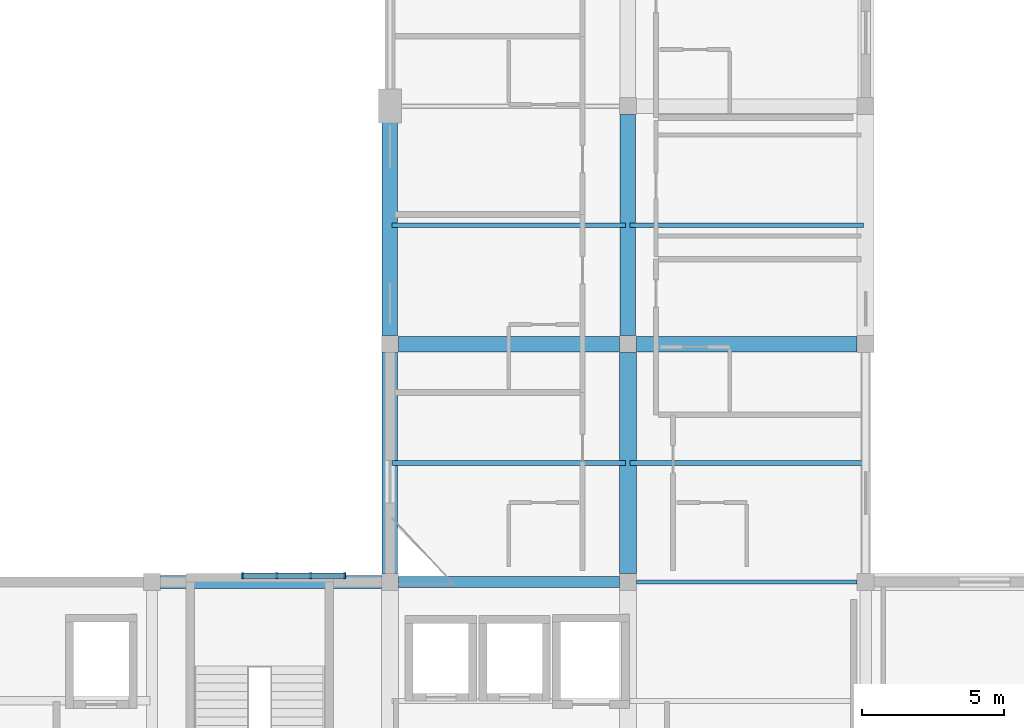
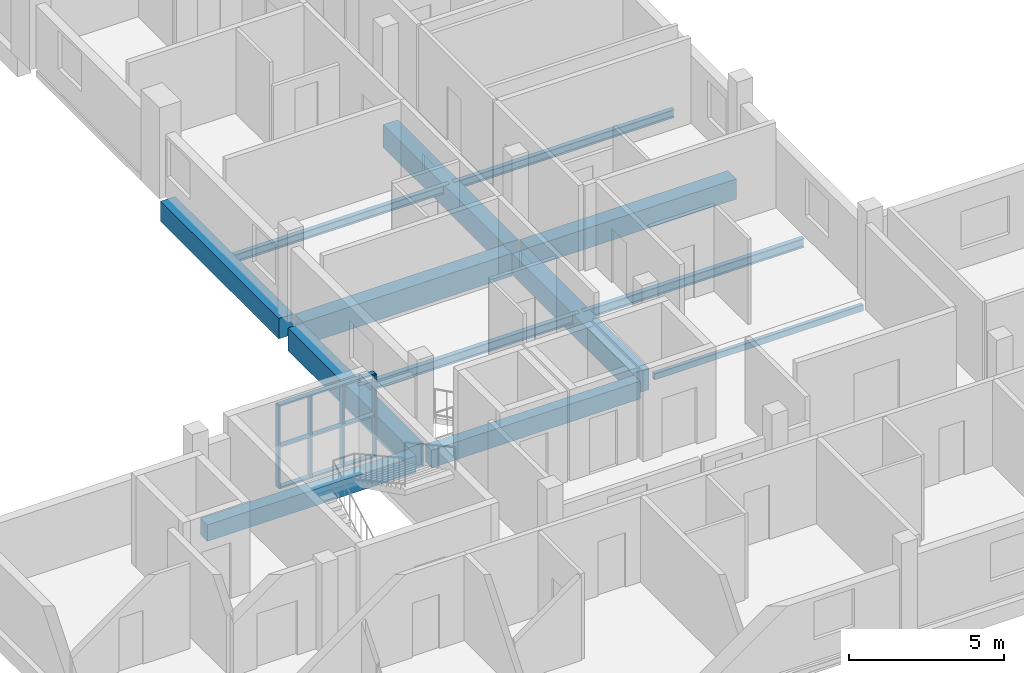
# One storey, part 2 of 24: 13 beams, 7 members, 1 element without a shape of its own.
"""IFC4 building model written with IfcOpenShell, lengths in metres."""

from ifc_helpers import new_model, si_unit, derived_unit, direction, frame, origin, origin_2d, place, context, subcontext, project, spatial, rectangle, hollow_rectangle, i_section, extrude, material, material_profile, profile_set, type_object, element, aggregate, save


model = new_model("IFC4")

# Units and contexts
model_context = context("Model", 3, precision=1e-05, world=origin(), true_north=direction((0.0, 1.0)))
body_context = subcontext(model_context, "Body", "Model", "MODEL_VIEW")
ifc_project = project(units=[si_unit("LENGTHUNIT", "METRE"), si_unit("AREAUNIT", "SQUARE_METRE"), si_unit("VOLUMEUNIT", "CUBIC_METRE"), si_unit("PLANEANGLEUNIT", "RADIAN"), si_unit("MASSUNIT", "GRAM", prefix="KILO"), derived_unit("THERMALTRANSMITTANCEUNIT", [(si_unit("POWERUNIT", "WATT"), 1), (si_unit("LENGTHUNIT", "METRE"), -2), (si_unit("THERMODYNAMICTEMPERATUREUNIT", "KELVIN"), -1)])], contexts=[model_context])

# Site, building, storey
site_placement = place(None, origin())
site = spatial("IfcSite", under=ifc_project, at=site_placement, CompositionType="ELEMENT")
building_placement = place(site_placement, origin())
building = spatial("IfcBuilding", under=site, at=building_placement, Name="Barrovel Congress Hotel", CompositionType="ELEMENT")
storey_placement = place(building_placement, frame((0.0, 0.0, 29.10009765625)))
storey = spatial("IfcBuildingStorey", under=building, at=storey_placement, Name="L07", CompositionType="ELEMENT", Elevation=29.10009765625)

# Beams
ifc_material_1 = material(Name="Concrete C40", Category="concrete")
ifc_material_profile_1 = material_profile(ifc_material_1, rectangle(XDim=0.39990234375, YDim=0.699951171875, at=origin_2d()), Name="RC400x700")
ifc_profile_set_1 = profile_set([ifc_material_profile_1], Name="Concrete C40")
beam_type_1 = type_object("IfcBeamType", Name="BM-RC400x700", PredefinedType="BEAM", material=ifc_profile_set_1)
beam_1_placement = place(storey_placement, frame((33.89990234375, 21.0, -0.570068359375), z_axis=(1.0, 0.0, 0.0), x_axis=(0.0, 1.0, 0.0)))
element("IfcBeam", 1, at=beam_1_placement, inside=storey, type_object=beam_type_1, Name="BMX:L07:21.0:33.6-42.0", PredefinedType="BEAM", context=body_context, shape_type="SweptSolid", body=[
    extrude(rectangle(XDim=0.39990234375, YDim=0.699951171875, at=origin_2d()), origin(), (0.0, 0.0, 1.0), 7.800048828125),
])
ifc_material_profile_2 = material_profile(ifc_material_1, rectangle(XDim=0.449951171875, YDim=0.64990234375, at=origin_2d()), Name="RC450x650")
ifc_profile_set_2 = profile_set([ifc_material_profile_2], Name="Concrete C40")
beam_type_2 = type_object("IfcBeamType", Name="BM-RC450x650", PredefinedType="BEAM", material=ifc_profile_set_2)
beam_2_placement = place(storey_placement, frame((25.5, 21.0, -0.545166015625), z_axis=(1.0, 0.0, 0.0), x_axis=(0.0, 1.0, 0.0)))
element("IfcBeam", 2, at=beam_2_placement, inside=storey, type_object=beam_type_2, Name="BMX:L07:21.0:25.2-33.6", PredefinedType="BEAM", context=body_context, shape_type="SweptSolid", body=[
    extrude(rectangle(XDim=0.449951171875, YDim=0.64990234375, at=origin_2d()), origin(), (0.0, 0.0, 1.0), 7.800048828125),
])
ifc_material_profile_3 = material_profile(ifc_material_1, rectangle(XDim=0.550048828125, YDim=0.800048828125, at=origin_2d()), Name="RC550x800")
ifc_profile_set_3 = profile_set([ifc_material_profile_3], Name="Concrete C40")
beam_type_3 = type_object("IfcBeamType", Name="BM-RC550x800", PredefinedType="BEAM", material=ifc_profile_set_3)
beam_3_placement = place(storey_placement, frame((42.300048828125, 29.39990234375, -0.6201171875), z_axis=(1.0, 0.0, 0.0), x_axis=(0.0, 1.0, 0.0)))
element("IfcBeam", 3, at=beam_3_placement, inside=storey, type_object=beam_type_3, Name="BMX:L07:29.4:42.0-50.4", PredefinedType="BEAM", context=body_context, shape_type="SweptSolid", body=[
    extrude(rectangle(XDim=0.550048828125, YDim=0.800048828125, at=origin_2d()), origin(), (0.0, 0.0, 1.0), 7.800048828125),
])
beam_4_placement = place(storey_placement, frame((33.60009765625, 29.699951171875, -0.6201171875), z_axis=(0.0, 1.0, 0.0), x_axis=(-1.0, 0.0, 0.0)))
element("IfcBeam", 4, at=beam_4_placement, inside=storey, type_object=beam_type_3, Name="BMY:L07:33.6:29.4-37.8", PredefinedType="BEAM", context=body_context, shape_type="SweptSolid", body=[
    extrude(rectangle(XDim=0.550048828125, YDim=0.800048828125, at=origin_2d()), origin(), (0.0, 0.0, 1.0), 7.650146484375),
])
ifc_material_profile_4 = material_profile(ifc_material_1, rectangle(XDim=0.550048828125, YDim=0.89990234375, at=origin_2d()), Name="RC550x900")
ifc_profile_set_4 = profile_set([ifc_material_profile_4], Name="Concrete C40")
beam_type_4 = type_object("IfcBeamType", Name="BM-RC550x900", PredefinedType="BEAM", material=ifc_profile_set_4)
for number, where, z_axis, x_axis, name in (
    (5, (33.89990234375, 29.39990234375, -0.670166015625), (1.0, 0.0, 0.0), (0.0, 1.0, 0.0), "BMX:L07:29.4:33.6-42.0"),
    (6, (33.60009765625, 21.300048828125, -0.670166015625), (0.0, 1.0, 0.0), (-1.0, 0.0, 0.0), "BMY:L07:33.6:21.0-29.4"),
    (7, (42.0, 29.699951171875, -0.670166015625), (0.0, 1.0, 0.0), (-1.0, 0.0, 0.0), "BMY:L07:42.0:29.4-37.8"),
):
    element("IfcBeam", number, at=place(storey_placement, frame(where, z_axis=z_axis, x_axis=x_axis)), inside=storey, type_object=beam_type_4, Name=name, PredefinedType="BEAM", context=body_context, shape_type="SweptSolid", body=[
        extrude(rectangle(XDim=0.550048828125, YDim=0.89990234375, at=origin_2d()), origin(), (0.0, 0.0, 1.0), 7.800048828125),
    ])
ifc_material_profile_5 = material_profile(ifc_material_1, rectangle(XDim=0.60009765625, YDim=0.85009765625, at=origin_2d()), Name="RC600x850")
ifc_profile_set_5 = profile_set([ifc_material_profile_5], Name="Concrete C40")
beam_type_5 = type_object("IfcBeamType", Name="BM-RC600x850", PredefinedType="BEAM", material=ifc_profile_set_5)
beam_5_placement = place(storey_placement, frame((42.0, 21.300048828125, -0.64501953125), z_axis=(0.0, 1.0, 0.0), x_axis=(-1.0, 0.0, 0.0)))
element("IfcBeam", 8, at=beam_5_placement, inside=storey, type_object=beam_type_5, Name="BMY:L07:42.0:21.0-29.4", PredefinedType="BEAM", context=body_context, shape_type="SweptSolid", body=[
    extrude(rectangle(XDim=0.60009765625, YDim=0.85009765625, at=origin_2d()), origin(), (0.0, 0.0, 1.0), 7.800048828125),
])

# Curtain wall, members
ifc_material_2 = material(Name="Anodised Aluminium Alloy 6063-T6", Category="aluminium")
curtain_wall_type = type_object("IfcCurtainWallType", Name="CW-UN-3600x3200", PredefinedType="USERDEFINED", material=ifc_material_2)
curtain_wall_placement = place(storey_placement, origin())
curtain_wall = element("IfcCurtainWall", 9, at=curtain_wall_placement, inside=storey, type_object=curtain_wall_type, Name="CW:L07:UN-3", ObjectType="UNITISED CURTAIN WALL", PredefinedType="USERDEFINED")
ifc_material_profile_6 = material_profile(ifc_material_2, rectangle(XDim=0.06494140625, YDim=0.219970703125, at=origin_2d()), Name="AL-M65x220")
ifc_profile_set_6 = profile_set([ifc_material_profile_6], Name="Anodised Aluminium Alloy 6063-T6")
member_type_1 = type_object("IfcMemberType", Name="CWM-AL-M65x220", PredefinedType="MULLION", material=ifc_profile_set_6)
member_1_placement = place(storey_placement, frame((28.39990234375, 21.219970703125, 0.0), z_axis=(0.0, 0.0, 1.0), x_axis=(1.0, 0.0, 0.0)))
member_1 = element("IfcMember", 10, at=member_1_placement, type_object=member_type_1, Name="CW:L07:UN-3:M0", PredefinedType="MULLION", context=body_context, shape_type="SweptSolid", body=[
    extrude(rectangle(XDim=0.06494140625, YDim=0.219970703125, at=origin_2d()), origin(), (0.0, 0.0, 1.0), 3.25),
])
member_2_placement = place(storey_placement, frame((29.60009765625, 21.219970703125, 0.0), z_axis=(0.0, 0.0, 1.0), x_axis=(1.0, 0.0, 0.0)))
member_2 = element("IfcMember", 11, at=member_2_placement, type_object=member_type_1, Name="CW:L07:UN-3:M1", PredefinedType="MULLION", context=body_context, shape_type="SweptSolid", body=[
    extrude(rectangle(XDim=0.06494140625, YDim=0.219970703125, at=origin_2d()), origin(), (0.0, 0.0, 1.0), 3.25),
])
member_3_placement = place(storey_placement, frame((30.800048828125, 21.219970703125, 0.0), z_axis=(0.0, 0.0, 1.0), x_axis=(1.0, 0.0, 0.0)))
member_3 = element("IfcMember", 12, at=member_3_placement, type_object=member_type_1, Name="CW:L07:UN-3:M2", PredefinedType="MULLION", context=body_context, shape_type="SweptSolid", body=[
    extrude(rectangle(XDim=0.06494140625, YDim=0.219970703125, at=origin_2d()), origin(), (0.0, 0.0, 1.0), 3.25),
])
member_4_placement = place(storey_placement, frame((32.0, 21.219970703125, 0.0), z_axis=(0.0, 0.0, 1.0), x_axis=(1.0, 0.0, 0.0)))
member_4 = element("IfcMember", 13, at=member_4_placement, type_object=member_type_1, Name="CW:L07:UN-3:M3", PredefinedType="MULLION", context=body_context, shape_type="SweptSolid", body=[
    extrude(rectangle(XDim=0.06494140625, YDim=0.219970703125, at=origin_2d()), origin(), (0.0, 0.0, 1.0), 3.25),
])
ifc_material_profile_7 = material_profile(ifc_material_2, rectangle(XDim=0.179931640625, YDim=0.06494140625, at=origin_2d()), Name="AL-T65x180")
ifc_profile_set_7 = profile_set([ifc_material_profile_7], Name="Anodised Aluminium Alloy 6063-T6")
member_type_2 = type_object("IfcMemberType", Name="CWT-AL-T65x180", PredefinedType="USERDEFINED", material=ifc_profile_set_7)
member_5_placement = place(storey_placement, frame((28.39990234375, 21.219970703125, 0.0), z_axis=(1.0, 0.0, 0.0), x_axis=(0.0, 1.0, 0.0)))
member_5 = element("IfcMember", 14, at=member_5_placement, type_object=member_type_2, Name="CW:L07:UN-3:T0", ObjectType="TRANSOM", PredefinedType="USERDEFINED", context=body_context, shape_type="SweptSolid", body=[
    extrude(rectangle(XDim=0.179931640625, YDim=0.06494140625, at=origin_2d()), origin(), (0.0, 0.0, 1.0), 3.60009765625),
])
member_6_placement = place(storey_placement, frame((28.39990234375, 21.219970703125, 1.625), z_axis=(1.0, 0.0, 0.0), x_axis=(0.0, 1.0, 0.0)))
member_6 = element("IfcMember", 15, at=member_6_placement, type_object=member_type_2, Name="CW:L07:UN-3:T1", ObjectType="TRANSOM", PredefinedType="USERDEFINED", context=body_context, shape_type="SweptSolid", body=[
    extrude(rectangle(XDim=0.179931640625, YDim=0.06494140625, at=origin_2d()), origin(), (0.0, 0.0, 1.0), 3.60009765625),
])
member_7_placement = place(storey_placement, frame((28.39990234375, 21.219970703125, 3.25), z_axis=(1.0, 0.0, 0.0), x_axis=(0.0, 1.0, 0.0)))
member_7 = element("IfcMember", 16, at=member_7_placement, type_object=member_type_2, Name="CW:L07:UN-3:T2", ObjectType="TRANSOM", PredefinedType="USERDEFINED", context=body_context, shape_type="SweptSolid", body=[
    extrude(rectangle(XDim=0.179931640625, YDim=0.06494140625, at=origin_2d()), origin(), (0.0, 0.0, 1.0), 3.60009765625),
])
aggregate(curtain_wall, [member_1, member_2, member_3, member_4, member_5, member_6, member_7])

# Beams
ifc_material_3 = material(Name="Steel ASTM A500 Grade C", Category="steel")
ifc_material_profile_8 = material_profile(ifc_material_3, hollow_rectangle(XDim=0.15234375, YDim=0.25390625, WallThickness=0.0087890625, InnerFilletRadius=0.0087890625, OuterFilletRadius=0.017578125, at=origin_2d()), Name="HSS254x152x9.5")
ifc_profile_set_8 = profile_set([ifc_material_profile_8], Name="Steel ASTM A500 Grade C")
beam_type_6 = type_object("IfcBeamType", Name="SBM-HSS254x152x9.5", PredefinedType="SPANDREL", material=ifc_profile_set_8)
beam_6_placement = place(storey_placement, frame((42.300048828125, 21.0, -0.34716796875), z_axis=(1.0, 0.0, 0.0), x_axis=(0.0, 1.0, 0.0)))
element("IfcBeam", 17, at=beam_6_placement, inside=storey, type_object=beam_type_6, Name="BMX:L07:21.0:42.0-50.4", PredefinedType="SPANDREL", context=body_context, shape_type="SweptSolid", body=[
    extrude(hollow_rectangle(XDim=0.15234375, YDim=0.25390625, WallThickness=0.0087890625, InnerFilletRadius=0.0087890625, OuterFilletRadius=0.017578125, at=origin_2d()), origin(), (0.0, 0.0, 1.0), 7.800048828125),
])
ifc_material_4 = material(Name="Steel ASTM A992 Grade 50", Category="steel")
ifc_material_profile_9 = material_profile(ifc_material_4, i_section(OverallWidth=0.1669921875, OverallDepth=0.31689453125, WebThickness=0.007568359375, FlangeThickness=0.01318359375, FilletRadius=0.010986328125, at=origin_2d()), Name="W310x52")
ifc_profile_set_9 = profile_set([ifc_material_profile_9], Name="Steel ASTM A992 Grade 50")
beam_type_7 = type_object("IfcBeamType", Name="SBM-W310x52", PredefinedType="JOIST", material=ifc_profile_set_9)
for number, where, z_axis, x_axis, name in (
    (18, (33.679931640625, 33.60009765625, -0.378662109375), (1.0, 0.0, 0.0), (0.0, 1.0, 0.0), "JST:L07:33.6:33.6"),
    (19, (42.080078125, 33.60009765625, -0.378662109375), (1.0, 0.0, 0.0), (0.0, 1.0, 0.0), "JST:L07:42.0:33.6"),
):
    element("IfcBeam", number, at=place(storey_placement, frame(where, z_axis=z_axis, x_axis=x_axis)), inside=storey, type_object=beam_type_7, Name=name, PredefinedType="JOIST", context=body_context, shape_type="SweptSolid", body=[
        extrude(i_section(OverallWidth=0.1669921875, OverallDepth=0.31689453125, WebThickness=0.007568359375, FlangeThickness=0.01318359375, FilletRadius=0.010986328125, at=origin_2d()), origin(), (0.0, 0.0, 1.0), 8.239990234375),
    ])
ifc_material_profile_10 = material_profile(ifc_material_4, i_section(OverallWidth=0.1708984375, OverallDepth=0.35205078125, WebThickness=0.0068359375, FlangeThickness=0.009765625, FilletRadius=0.011962890625, at=origin_2d()), Name="W360x44")
ifc_profile_set_10 = profile_set([ifc_material_profile_10], Name="Steel ASTM A992 Grade 50")
beam_type_8 = type_object("IfcBeamType", Name="SBM-W360x44", PredefinedType="JOIST", material=ifc_profile_set_10)
for number, where, z_axis, x_axis, name in (
    (20, (33.679931640625, 25.199951171875, -0.39599609375), (1.0, 0.0, 0.0), (0.0, 1.0, 0.0), "JST:L07:33.6:25.2"),
    (21, (42.080078125, 25.199951171875, -0.39599609375), (1.0, 0.0, 0.0), (0.0, 1.0, 0.0), "JST:L07:42.0:25.2"),
):
    element("IfcBeam", number, at=place(storey_placement, frame(where, z_axis=z_axis, x_axis=x_axis)), inside=storey, type_object=beam_type_8, Name=name, PredefinedType="JOIST", context=body_context, shape_type="SweptSolid", body=[
        extrude(i_section(OverallWidth=0.1708984375, OverallDepth=0.35205078125, WebThickness=0.0068359375, FlangeThickness=0.009765625, FilletRadius=0.011962890625, at=origin_2d()), origin(), (0.0, 0.0, 1.0), 8.239990234375),
    ])

save(model, "model.ifc")
